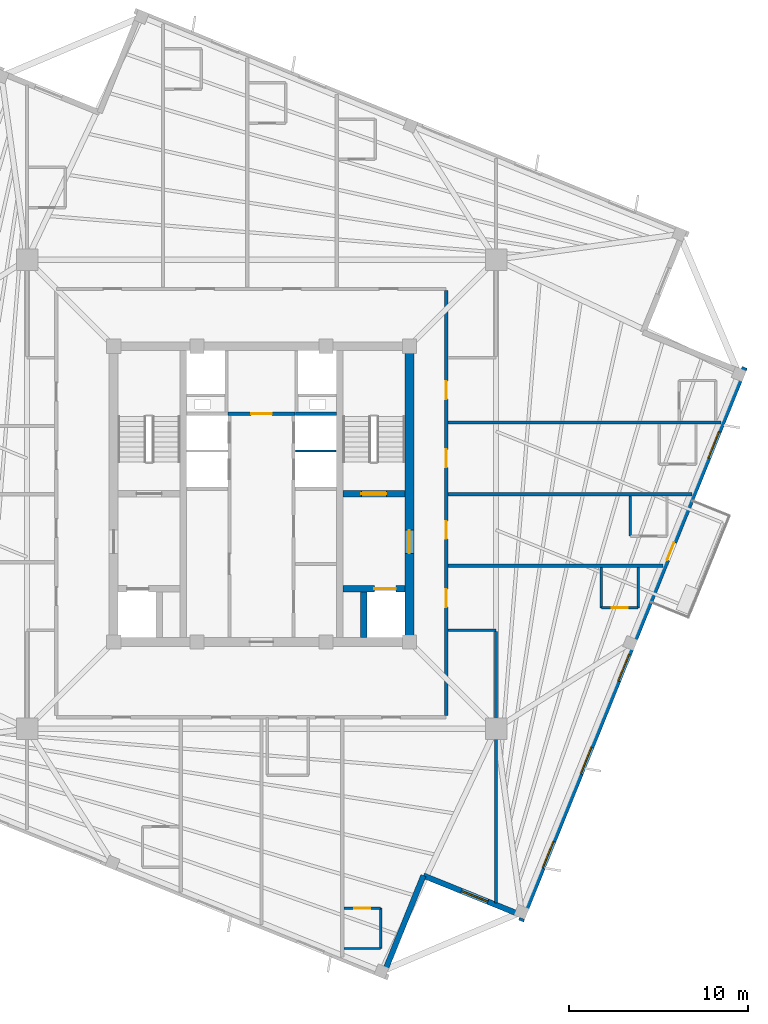
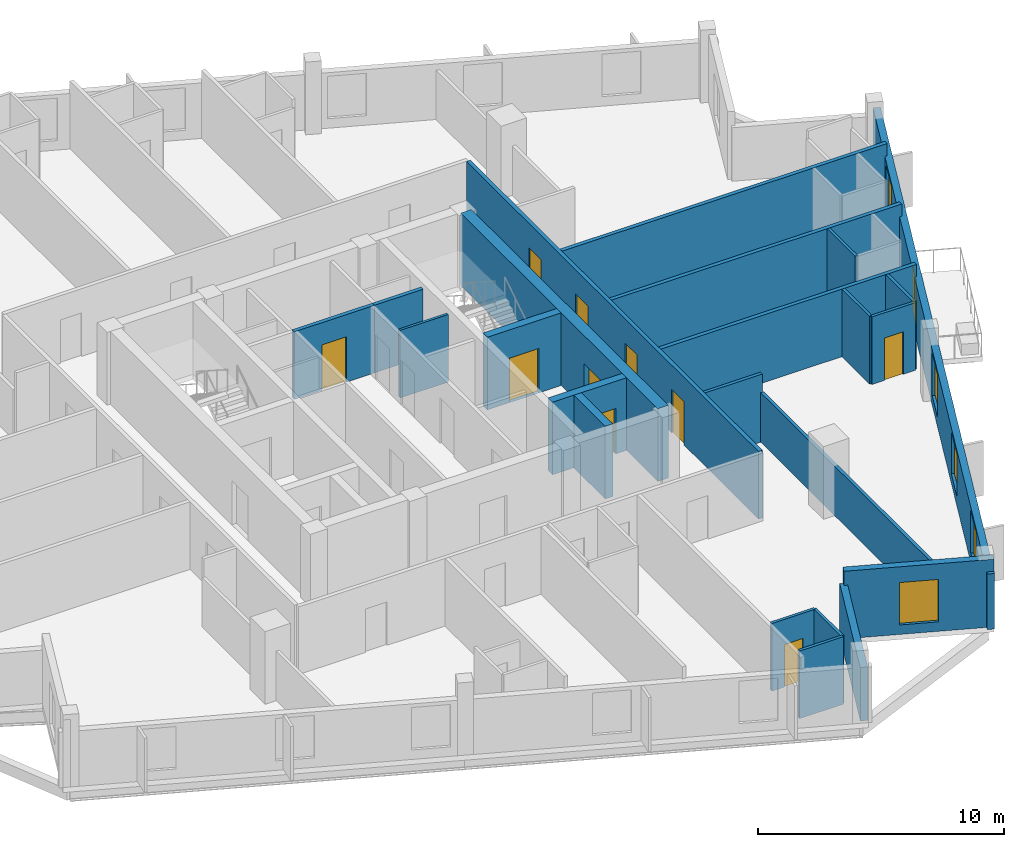
# One storey, part 4 of 9: 23 walls, 11 doors, 5 windows, 16 openings.
"""IFC4 building model written with IfcOpenShell, lengths in metres."""

from ifc_helpers import new_model, si_unit, direction, frame, frame_2d, origin, place, context, subcontext, project, spatial, rectangle, extrude, source, transform, mapped, material, layer, layer_set, type_object, element, fill, save


model = new_model("IFC4")

# Units and contexts
model_context = context("Model", 3, precision=1e-05, world=origin(), true_north=direction((0.0, 1.0)))
body_context = subcontext(model_context, "Body", "Model", "MODEL_VIEW")
ifc_project = project(units=[si_unit("LENGTHUNIT", "METRE"), si_unit("AREAUNIT", "SQUARE_METRE"), si_unit("VOLUMEUNIT", "CUBIC_METRE"), si_unit("PLANEANGLEUNIT", "RADIAN"), si_unit("MASSUNIT", "GRAM", prefix="KILO"), si_unit("THERMODYNAMICTEMPERATUREUNIT", "KELVIN")], contexts=[model_context])

# Site, building, storey
site_placement = place(None, origin())
site = spatial("IfcSite", under=ifc_project, at=site_placement, CompositionType="ELEMENT")
building_placement = place(site_placement, origin())
building = spatial("IfcBuilding", under=site, at=building_placement, Name="Kosmvard Interchange Tower", CompositionType="ELEMENT")
storey_placement = place(building_placement, frame((0.0, 0.0, 279.60009765625)))
storey = spatial("IfcBuildingStorey", under=building, at=storey_placement, Name="L68", CompositionType="ELEMENT", Elevation=279.60009765625)

# Walls
ifc_material_1 = material(Name="Acoustic gypsum partition system")
ifc_layer_1 = layer(ifc_material_1, 0.14990234375, Name="Acoustic gypsum partition system")
ifc_layer_set_1 = layer_set([ifc_layer_1], Name="Acoustic gypsum partition system")
wall_type_1 = type_object("IfcWallType", Name="Acoustic Suite & Meeting Partition 150", PredefinedType="PARTITIONING", material=ifc_layer_set_1)
wall_1_placement = place(storey_placement, frame((10.39501953125, -7.60009765625, 0.0), z_axis=(0.0, 0.0, 1.0), x_axis=(1.0, 0.0, 0.0)))
element("IfcWall", 1, at=wall_1_placement, inside=storey, type_object=wall_type_1, Name="L68 Room Partition 17.1", PredefinedType="PARTITIONING", context=body_context, shape_type="SweptSolid", body=[
    extrude(rectangle(XDim=2.68603515625, YDim=0.14990234375, at=frame_2d((1.343017578125, 0.0))), origin(), (0.0, 0.0, 1.0), 3.349853515625),
])
wall_2_placement = place(storey_placement, frame((13.0810546875, -7.675048828125, 0.0), z_axis=(0.0, 0.0, 1.0), x_axis=(0.0, -1.0, 0.0)))
element("IfcWall", 2, at=wall_2_placement, inside=storey, type_object=wall_type_1, Name="L68 Room Partition 18.1", PredefinedType="PARTITIONING", context=body_context, shape_type="SweptSolid", body=[
    extrude(rectangle(XDim=15.1416015625, YDim=0.14990234375, at=frame_2d((7.57080078125, 0.0))), origin(), (0.0, 0.0, 1.0), 2.449951171875),
])

# Wall, opening, door
ifc_material_2 = material(Name="Fire-rated gypsum partition system")
ifc_layer_2 = layer(ifc_material_2, 0.179931640625, Name="Fire-rated gypsum partition system")
ifc_layer_set_2 = layer_set([ifc_layer_2], Name="Fire-rated gypsum partition system")
wall_type_2 = type_object("IfcWallType", Name="Corridor & Hotel Compartment Partition 180", PredefinedType="PARTITIONING", material=ifc_layer_set_2)
wall_3_placement = place(storey_placement, frame((-1.8798828125, 4.489990234375, 0.0), z_axis=(0.0, 0.0, 1.0), x_axis=(1.0, 0.0, 0.0)))
wall_3 = element("IfcWall", 3, at=wall_3_placement, inside=storey, type_object=wall_type_2, Name="L68 Lift Lobby North Partition", PredefinedType="PARTITIONING", context=body_context, shape_type="SweptSolid", body=[
    extrude(rectangle(XDim=3.759765625, YDim=0.179931640625, at=frame_2d((1.8798828125, 0.0))), origin(), (0.0, 0.0, 1.0), 3.349853515625),
])
opening_1_placement = place(wall_3_placement, frame((1.304931640625, 0.0, 0.0)))
opening_1 = element("IfcOpeningElement", 4, at=opening_1_placement, cuts=wall_3, Name="Opening L68-KD1", PredefinedType="OPENING", context=body_context, shape_type="SweptSolid", body=[
    extrude(rectangle(XDim=1.14990234375, YDim=2.25, at=frame_2d((0.574951171875, 1.125))), frame((0.0, 0.10009765625, 0.0), z_axis=(0.0, -1.0, 0.0), x_axis=(1.0, 0.0, 0.0)), (0.0, 0.0, 1.0), 0.199951171875),
])
ifc_material_3 = material(Name="Painted fire-rated steel leaf", Category="steel")
door_type_1 = type_object("IfcDoorType", Name="Plant & Riser Fire Door 1150x2250 EI60", OperationType="NOTDEFINED", PredefinedType="DOOR", material=ifc_material_3)
shared_shape_1 = source(origin(), body_context, "Body", "SweptSolid", [
    extrude(rectangle(XDim=1.14990234375, YDim=2.25, at=frame_2d((0.574951171875, 1.125))), frame((0.0, 0.02490234375, 0.0), z_axis=(0.0, -1.0, 0.0), x_axis=(1.0, 0.0, 0.0)), (0.0, 0.0, 1.0), 0.050048828125),
])
door_1_placement = place(opening_1_placement, origin())
door_1 = element("IfcDoor", 5, at=door_1_placement, inside=storey, type_object=door_type_1, Name="L68 Core IT Room Door", OperationType="SINGLE_SWING_LEFT", OverallHeight=2.25, OverallWidth=1.14990234375, PredefinedType="DOOR", context=body_context, shape_type="MappedRepresentation", body=[
    mapped(shared_shape_1, transform((0.0, 0.0, 0.0), scale=1.0)),
])
fill(opening_1, door_1)

# Wall, openings, doors
wall_4_placement = place(storey_placement, frame((10.300048828125, -12.35009765625, 0.0), z_axis=(0.0, 0.0, 1.0), x_axis=(0.0, 1.0, 0.0)))
wall_4 = element("IfcWall", 6, at=wall_4_placement, inside=storey, type_object=wall_type_2, Name="L68 Corridor Wall CE", PredefinedType="PARTITIONING", context=body_context, shape_type="SweptSolid", body=[
    extrude(rectangle(XDim=23.7001953125, YDim=0.179931640625, at=frame_2d((11.85009765625, 0.0))), origin(), (0.0, 0.0, 1.0), 3.349853515625),
])
opening_2_placement = place(wall_4_placement, frame((17.64990234375, 0.0, 0.0)))
opening_2 = element("IfcOpeningElement", 7, at=opening_2_placement, cuts=wall_4, Name="Opening L68-D14", PredefinedType="OPENING", context=body_context, shape_type="SweptSolid", body=[
    extrude(rectangle(XDim=1.0, YDim=2.14990234375, at=frame_2d((0.5, 1.074951171875))), frame((0.0, 0.10009765625, 0.0), z_axis=(0.0, -1.0, 0.0), x_axis=(1.0, 0.0, 0.0)), (0.0, 0.0, 1.0), 0.199951171875),
])
opening_3_placement = place(wall_4_placement, frame((13.85009765625, 0.0, 0.0)))
opening_3 = element("IfcOpeningElement", 8, at=opening_3_placement, cuts=wall_4, Name="Opening L68-D16", PredefinedType="OPENING", context=body_context, shape_type="SweptSolid", body=[
    extrude(rectangle(XDim=1.0, YDim=2.14990234375, at=frame_2d((0.5, 1.074951171875))), frame((0.0, 0.10009765625, 0.0), z_axis=(0.0, -1.0, 0.0), x_axis=(1.0, 0.0, 0.0)), (0.0, 0.0, 1.0), 0.199951171875),
])
opening_4_placement = place(wall_4_placement, frame((9.85009765625, 0.0, 0.0)))
opening_4 = element("IfcOpeningElement", 9, at=opening_4_placement, cuts=wall_4, Name="Opening L68-D18", PredefinedType="OPENING", context=body_context, shape_type="SweptSolid", body=[
    extrude(rectangle(XDim=1.0, YDim=2.14990234375, at=frame_2d((0.5, 1.074951171875))), frame((0.0, 0.10009765625, 0.0), z_axis=(0.0, -1.0, 0.0), x_axis=(1.0, 0.0, 0.0)), (0.0, 0.0, 1.0), 0.199951171875),
])
opening_5_placement = place(wall_4_placement, frame((6.050048828125, 0.0, 0.0)))
opening_5 = element("IfcOpeningElement", 10, at=opening_5_placement, cuts=wall_4, Name="Opening L68-D20", PredefinedType="OPENING", context=body_context, shape_type="SweptSolid", body=[
    extrude(rectangle(XDim=1.0, YDim=2.14990234375, at=frame_2d((0.5, 1.074951171875))), frame((0.0, 0.10009765625, 0.0), z_axis=(0.0, -1.0, 0.0), x_axis=(1.0, 0.0, 0.0)), (0.0, 0.0, 1.0), 0.199951171875),
])
ifc_material_4 = material(Name="Engineered oak fire-rated timber", Category="wood")
door_type_2 = type_object("IfcDoorType", Name="Hotel Guestroom Entrance Door 1000x2150 EI60", OperationType="NOTDEFINED", PredefinedType="DOOR", material=ifc_material_4)
shared_shape_2 = source(origin(), body_context, "Body", "SweptSolid", [
    extrude(rectangle(XDim=1.0, YDim=2.14990234375, at=frame_2d((0.5, 1.074951171875))), frame((0.0, 0.02490234375, 0.0), z_axis=(0.0, -1.0, 0.0), x_axis=(1.0, 0.0, 0.0)), (0.0, 0.0, 1.0), 0.050048828125),
])
door_2_placement = place(opening_2_placement, frame((1.0, 0.0, 0.0), z_axis=(0.0, 0.0, 1.0), x_axis=(-1.0, 0.0, 0.0)))
door_2 = element("IfcDoor", 11, at=door_2_placement, inside=storey, type_object=door_type_2, Name="L68 Hotel Corner Suite 2 Door", OperationType="SINGLE_SWING_RIGHT", OverallHeight=2.14990234375, OverallWidth=1.0, PredefinedType="DOOR", context=body_context, shape_type="MappedRepresentation", body=[
    mapped(shared_shape_2, transform((0.0, 0.0, 0.0), scale=1.0)),
])
fill(opening_2, door_2)
door_3_placement = place(opening_3_placement, frame((1.0, 0.0, 0.0), z_axis=(0.0, 0.0, 1.0), x_axis=(-1.0, 0.0, 0.0)))
door_3 = element("IfcDoor", 12, at=door_3_placement, inside=storey, type_object=door_type_2, Name="L68 Hotel Standard Guest Room 6 Door", OperationType="SINGLE_SWING_RIGHT", OverallHeight=2.14990234375, OverallWidth=1.0, PredefinedType="DOOR", context=body_context, shape_type="MappedRepresentation", body=[
    mapped(shared_shape_2, transform((0.0, 0.0, 0.0), scale=1.0)),
])
fill(opening_3, door_3)
door_4_placement = place(opening_4_placement, frame((1.0, 0.0, 0.0), z_axis=(0.0, 0.0, 1.0), x_axis=(-1.0, 0.0, 0.0)))
door_4 = element("IfcDoor", 13, at=door_4_placement, inside=storey, type_object=door_type_2, Name="L68 Hotel Standard Guest Room 7 Door", OperationType="SINGLE_SWING_RIGHT", OverallHeight=2.14990234375, OverallWidth=1.0, PredefinedType="DOOR", context=body_context, shape_type="MappedRepresentation", body=[
    mapped(shared_shape_2, transform((0.0, 0.0, 0.0), scale=1.0)),
])
fill(opening_4, door_4)
door_5_placement = place(opening_5_placement, frame((1.0, 0.0, 0.0), z_axis=(0.0, 0.0, 1.0), x_axis=(-1.0, 0.0, 0.0)))
door_5 = element("IfcDoor", 14, at=door_5_placement, inside=storey, type_object=door_type_2, Name="L68 Hotel Standard Junior Suite 8 Door", OperationType="SINGLE_SWING_RIGHT", OverallHeight=2.14990234375, OverallWidth=1.0, PredefinedType="DOOR", context=body_context, shape_type="MappedRepresentation", body=[
    mapped(shared_shape_2, transform((0.0, 0.0, 0.0), scale=1.0)),
])
fill(opening_5, door_5)

# Walls
wall_5_placement = place(storey_placement, frame((10.39501953125, 4.0, 0.0), z_axis=(0.0, 0.0, 1.0), x_axis=(1.0, 0.0, 0.0)))
element("IfcWall", 15, at=wall_5_placement, inside=storey, type_object=wall_type_2, Name="L68 Room Partition 04.1", PredefinedType="PARTITIONING", context=body_context, shape_type="SweptSolid", body=[
    extrude(rectangle(XDim=15.223876953125, YDim=0.179931640625, at=frame_2d((7.61181640625, 0.0))), origin(), (0.0, 0.0, 1.0), 3.349853515625),
])
wall_6_placement = place(storey_placement, frame((10.39501953125, 0.0, 0.0), z_axis=(0.0, 0.0, 1.0), x_axis=(1.0, 0.0, 0.0)))
element("IfcWall", 16, at=wall_6_placement, inside=storey, type_object=wall_type_2, Name="L68 Room Partition 05.1", PredefinedType="PARTITIONING", context=body_context, shape_type="SweptSolid", body=[
    extrude(rectangle(XDim=13.607666015625, YDim=0.179931640625, at=frame_2d((6.8037109375, 0.0))), origin(), (0.0, 0.0, 1.0), 3.349853515625),
])
wall_7_placement = place(storey_placement, frame((10.39501953125, -4.0, 0.0), z_axis=(0.0, 0.0, 1.0), x_axis=(1.0, 0.0, 0.0)))
element("IfcWall", 17, at=wall_7_placement, inside=storey, type_object=wall_type_2, Name="L68 Room Partition 06.1", PredefinedType="PARTITIONING", context=body_context, shape_type="SweptSolid", body=[
    extrude(rectangle(XDim=11.99169921875, YDim=0.179931640625, at=frame_2d((5.995849609375, 0.0))), origin(), (0.0, 0.0, 1.0), 3.349853515625),
])
ifc_material_5 = material(Name="Concrete blockwork masonry", Category="masonry")
ifc_layer_3 = layer(ifc_material_5, 0.179931640625, Name="Concrete blockwork masonry")
ifc_layer_set_3 = layer_set([ifc_layer_3], Name="Concrete blockwork masonry")
wall_type_3 = type_object("IfcWallType", Name="Riser & Lift Bank Divider Wall 180", PredefinedType="PARTITIONING", material=ifc_layer_set_3)
wall_8_placement = place(storey_placement, frame((1.889892578125, 4.489990234375, 0.0), z_axis=(0.0, 0.0, 1.0), x_axis=(1.0, 0.0, 0.0)))
element("IfcWall", 18, at=wall_8_placement, inside=storey, type_object=wall_type_3, Name="L68 East Bank Divider BD3", PredefinedType="PARTITIONING", context=body_context, shape_type="SweptSolid", body=[
    extrude(rectangle(XDim=2.280029296875, YDim=0.179931640625, at=frame_2d((1.14013671875, 0.0))), origin(), (0.0, 0.0, 1.0), 3.349853515625),
])
ifc_material_6 = material(Name="Fire-rated gypsum shaftwall system")
ifc_layer_4 = layer(ifc_material_6, 0.1201171875, Name="Fire-rated gypsum shaftwall system")
ifc_layer_set_4 = layer_set([ifc_layer_4], Name="Fire-rated gypsum shaftwall system")
wall_type_4 = type_object("IfcWallType", Name="Shaft & Riser Fire Partition 120 EI60", PredefinedType="PARTITIONING", material=ifc_layer_set_4)
wall_9_placement = place(storey_placement, frame((1.89990234375, 2.39990234375, 0.0), z_axis=(0.0, 0.0, 1.0), x_axis=(1.0, 0.0, 0.0)))
element("IfcWall", 19, at=wall_9_placement, inside=storey, type_object=wall_type_4, Name="L68 Shaft Divider PL-H3", PredefinedType="PARTITIONING", context=body_context, shape_type="SweptSolid", body=[
    extrude(rectangle(XDim=2.260009765625, YDim=0.1201171875, at=frame_2d((1.1298828125, 0.0))), origin(), (0.0, 0.0, 1.0), 3.349853515625),
])

# Wall, opening, door
ifc_material_7 = material(Name="Concrete C60/75", Category="concrete")
ifc_layer_5 = layer(ifc_material_7, 0.360107421875, Name="Concrete C60/75")
ifc_layer_set_5 = layer_set([ifc_layer_5], Name="Concrete C60/75")
wall_type_5 = type_object("IfcWallType", Name="Stair & Lift Shaft Shear Wall 360 C60/75", PredefinedType="SHEAR", material=ifc_layer_set_5)
wall_10_placement = place(storey_placement, frame((4.5400390625, 0.02001953125, 0.0), z_axis=(0.0, 0.0, 1.0), x_axis=(1.0, 0.0, 0.0)))
wall_10 = element("IfcWall", 20, at=wall_10_placement, inside=storey, type_object=wall_type_5, Name="L68 Shaft Shear Wall SW-ST2", PredefinedType="SHEAR", context=body_context, shape_type="SweptSolid", body=[
    extrude(rectangle(XDim=3.4599609375, YDim=0.360107421875, at=frame_2d((1.72998046875, 0.0))), origin(), (0.0, 0.0, 1.0), 3.599853515625),
])
opening_6_placement = place(wall_10_placement, frame((1.030029296875, 0.0, 0.0)))
opening_6 = element("IfcOpeningElement", 21, at=opening_6_placement, cuts=wall_10, Name="Opening L68-SD2", PredefinedType="OPENING", context=body_context, shape_type="SweptSolid", body=[
    extrude(rectangle(XDim=1.39990234375, YDim=2.199951171875, at=frame_2d((0.699951171875, 1.10009765625))), frame((0.0, 0.18994140625, 0.0), z_axis=(0.0, -1.0, 0.0), x_axis=(1.0, 0.0, 0.0)), (0.0, 0.0, 1.0), 0.380126953125),
])
door_type_3 = type_object("IfcDoorType", Name="Protected Stair Door 1400x2200 FD60S", OperationType="NOTDEFINED", PredefinedType="DOOR", material=ifc_material_3)
shared_shape_3 = source(origin(), body_context, "Body", "SweptSolid", [
    extrude(rectangle(XDim=1.39990234375, YDim=2.199951171875, at=frame_2d((0.699951171875, 1.10009765625))), frame((0.0, 0.02490234375, 0.0), z_axis=(0.0, -1.0, 0.0), x_axis=(1.0, 0.0, 0.0)), (0.0, 0.0, 1.0), 0.050048828125),
])
door_6_placement = place(opening_6_placement, origin())
door_6 = element("IfcDoor", 22, at=door_6_placement, inside=storey, type_object=door_type_3, Name="L68 Stair ST-2 Enclosure Door", OperationType="SINGLE_SWING_RIGHT", OverallHeight=2.199951171875, OverallWidth=1.39990234375, PredefinedType="DOOR", context=body_context, shape_type="MappedRepresentation", body=[
    mapped(shared_shape_3, transform((0.0, 0.0, 0.0), scale=1.0)),
])
fill(opening_6, door_6)

wall_11_placement = place(storey_placement, frame((4.5400390625, -5.280029296875, 0.0), z_axis=(0.0, 0.0, 1.0), x_axis=(1.0, 0.0, 0.0)))
wall_11 = element("IfcWall", 23, at=wall_11_placement, inside=storey, type_object=wall_type_5, Name="L68 Shaft Shear Wall SW-FF2", PredefinedType="SHEAR", context=body_context, shape_type="SweptSolid", body=[
    extrude(rectangle(XDim=3.4599609375, YDim=0.360107421875, at=frame_2d((1.72998046875, 0.0))), origin(), (0.0, 0.0, 1.0), 3.599853515625),
])
opening_7_placement = place(wall_11_placement, frame((1.760009765625, 0.0, 0.0)))
opening_7 = element("IfcOpeningElement", 24, at=opening_7_placement, cuts=wall_11, Name="Opening LD-FF-2-L68", PredefinedType="OPENING", context=body_context, shape_type="SweptSolid", body=[
    extrude(rectangle(XDim=1.199951171875, YDim=2.25, at=frame_2d((0.60009765625, 1.125))), frame((0.0, 0.18994140625, 0.0), z_axis=(0.0, -1.0, 0.0), x_axis=(1.0, 0.0, 0.0)), (0.0, 0.0, 1.0), 0.380126953125),
])
ifc_material_8 = material(Name="Brushed stainless steel sliding leaf", Category="steel")
door_type_4 = type_object("IfcDoorType", Name="Firefighting Lift Sliding Landing Door 1200x2250 EI120", OperationType="DOUBLE_DOOR_SLIDING", PredefinedType="DOOR", material=ifc_material_8)
shared_shape_4 = source(origin(), body_context, "Body", "SweptSolid", [
    extrude(rectangle(XDim=1.199951171875, YDim=2.25, at=frame_2d((0.60009765625, 1.125))), frame((0.0, 0.02490234375, 0.0), z_axis=(0.0, -1.0, 0.0), x_axis=(1.0, 0.0, 0.0)), (0.0, 0.0, 1.0), 0.050048828125),
])
door_7_placement = place(opening_7_placement, origin())
door_7 = element("IfcDoor", 25, at=door_7_placement, inside=storey, type_object=door_type_4, Name="Lift FF-2 Landing Door L68", OperationType="DOUBLE_DOOR_SLIDING", OverallHeight=2.25, OverallWidth=1.199951171875, PredefinedType="DOOR", context=body_context, shape_type="MappedRepresentation", body=[
    mapped(shared_shape_4, transform((0.0, 0.0, 0.0), scale=1.0)),
])
fill(opening_7, door_7)

# Wall
wall_12_placement = place(storey_placement, frame((5.7099609375, -8.0, 0.0), z_axis=(0.0, 0.0, 1.0), x_axis=(0.0, 1.0, 0.0)))
element("IfcWall", 26, at=wall_12_placement, inside=storey, type_object=wall_type_5, Name="L68 Shaft Shear Wall SW-SM2", PredefinedType="SHEAR", context=body_context, shape_type="SweptSolid", body=[
    extrude(rectangle(XDim=2.5400390625, YDim=0.360107421875, at=frame_2d((1.27001953125, 0.0))), origin(), (0.0, 0.0, 1.0), 3.599853515625),
])

# Wall, opening, door
ifc_layer_6 = layer(ifc_material_7, 0.5, Name="Concrete C60/75")
ifc_layer_set_6 = layer_set([ifc_layer_6], Name="Concrete C60/75")
wall_type_6 = type_object("IfcWallType", Name="Upper Core Shear Wall 500 C60/75", PredefinedType="SHEAR", material=ifc_layer_set_6)
wall_13_placement = place(storey_placement, frame((8.25, -8.0, 0.0), z_axis=(0.0, 0.0, 1.0), x_axis=(0.0, 1.0, 0.0)))
wall_13 = element("IfcWall", 27, at=wall_13_placement, inside=storey, type_object=wall_type_6, Name="L68 Core Shear Wall CW-E", PredefinedType="SHEAR", context=body_context, shape_type="SweptSolid", body=[
    extrude(rectangle(XDim=16.0, YDim=0.5, at=frame_2d((8.0, 0.0))), origin(), (0.0, 0.0, 1.0), 3.599853515625),
])
opening_8_placement = place(wall_13_placement, frame((4.68994140625, 0.0, 0.0)))
opening_8 = element("IfcOpeningElement", 28, at=opening_8_placement, cuts=wall_13, Name="Opening L68-FD2", PredefinedType="OPENING", context=body_context, shape_type="SweptSolid", body=[
    extrude(rectangle(XDim=1.300048828125, YDim=2.199951171875, at=frame_2d((0.64990234375, 1.10009765625))), frame((0.0, 0.260009765625, 0.0), z_axis=(0.0, -1.0, 0.0), x_axis=(1.0, 0.0, 0.0)), (0.0, 0.0, 1.0), 0.52001953125),
])
door_type_5 = type_object("IfcDoorType", Name="Firefighting Lobby Door 1300x2200 EI60", OperationType="NOTDEFINED", PredefinedType="DOOR", material=ifc_material_3)
shared_shape_5 = source(origin(), body_context, "Body", "SweptSolid", [
    extrude(rectangle(XDim=1.300048828125, YDim=2.199951171875, at=frame_2d((0.64990234375, 1.10009765625))), frame((0.0, 0.02490234375, 0.0), z_axis=(0.0, -1.0, 0.0), x_axis=(1.0, 0.0, 0.0)), (0.0, 0.0, 1.0), 0.050048828125),
])
door_8_placement = place(opening_8_placement, origin())
door_8 = element("IfcDoor", 29, at=door_8_placement, inside=storey, type_object=door_type_5, Name="L68 Firefighting Lobby East Door", OperationType="SINGLE_SWING_RIGHT", OverallHeight=2.199951171875, OverallWidth=1.300048828125, PredefinedType="DOOR", context=body_context, shape_type="MappedRepresentation", body=[
    mapped(shared_shape_5, transform((0.0, 0.0, 0.0), scale=1.0)),
])
fill(opening_8, door_8)

# Wall, openings, door, windows
ifc_material_9 = material(Name="Precast concrete C45/55", Category="concrete")
ifc_layer_7 = layer(ifc_material_9, 0.31005859375, Name="Precast concrete C45/55")
ifc_layer_set_7 = layer_set([ifc_layer_7], Name="Precast concrete C45/55")
wall_type_7 = type_object("IfcWallType", Name="Upper Tower Precast Pier Wall 310 C45/55", PredefinedType="STANDARD", material=ifc_layer_set_7)
wall_14_placement = place(storey_placement, frame((14.478759765625, -23.812744140625, 0.0), z_axis=(0.0, 0.0, 1.0), x_axis=(0.374609557019, 0.927182657188, 0.0)))
wall_14 = element("IfcWall", 30, at=wall_14_placement, inside=storey, type_object=wall_type_7, Name="L68 Precast Facade Wall F-S", PredefinedType="STANDARD", context=body_context, shape_type="SweptSolid", body=[
    extrude(rectangle(XDim=33.31005859375, YDim=0.31005859375, at=frame_2d((16.655029296875, 0.0))), origin(), (0.0, 0.0, 1.0), 2.75),
])
opening_9_placement = place(wall_14_placement, frame((21.72998046875, 0.0, 0.0)))
opening_9 = element("IfcOpeningElement", 31, at=opening_9_placement, cuts=wall_14, Name="Opening L68-BDW", PredefinedType="OPENING", context=body_context, shape_type="SweptSolid", body=[
    extrude(rectangle(XDim=1.050048828125, YDim=2.25, at=frame_2d((0.52490234375, 1.125))), frame((0.0, 0.1650390625, 0.0), z_axis=(0.0, -1.0, 0.0), x_axis=(1.0, 0.0, 0.0)), (0.0, 0.0, 1.0), 0.330078125),
])
opening_10_placement = place(wall_14_placement, frame((3.197265625, 0.0, 0.469970703125)))
opening_10 = element("IfcOpeningElement", 32, at=opening_10_placement, cuts=wall_14, Name="Opening L68-W01", PredefinedType="OPENING", context=body_context, shape_type="SweptSolid", body=[
    extrude(rectangle(XDim=1.60009765625, YDim=2.10009765625, at=frame_2d((0.800048828125, 1.050048828125))), frame((0.0, 0.1650390625, 0.0), z_axis=(0.0, -1.0, 0.0), x_axis=(1.0, 0.0, 0.0)), (0.0, 0.0, 1.0), 0.330078125),
])
opening_11_placement = place(wall_14_placement, frame((8.85986328125, 0.0, 0.469970703125)))
opening_11 = element("IfcOpeningElement", 33, at=opening_11_placement, cuts=wall_14, Name="Opening L68-W02", PredefinedType="OPENING", context=body_context, shape_type="SweptSolid", body=[
    extrude(rectangle(XDim=1.60009765625, YDim=2.10009765625, at=frame_2d((0.800048828125, 1.050048828125))), frame((0.0, 0.1650390625, 0.0), z_axis=(0.0, -1.0, 0.0), x_axis=(1.0, 0.0, 0.0)), (0.0, 0.0, 1.0), 0.330078125),
])
opening_12_placement = place(wall_14_placement, frame((14.438720703125, 0.0, 0.469970703125)))
opening_12 = element("IfcOpeningElement", 34, at=opening_12_placement, cuts=wall_14, Name="Opening L68-W03", PredefinedType="OPENING", context=body_context, shape_type="SweptSolid", body=[
    extrude(rectangle(XDim=1.60009765625, YDim=2.10009765625, at=frame_2d((0.800048828125, 1.050048828125))), frame((0.0, 0.1650390625, 0.0), z_axis=(0.0, -1.0, 0.0), x_axis=(1.0, 0.0, 0.0)), (0.0, 0.0, 1.0), 0.330078125),
])
opening_13_placement = place(wall_14_placement, frame((27.8466796875, 0.0, 0.469970703125)))
opening_13 = element("IfcOpeningElement", 35, at=opening_13_placement, cuts=wall_14, Name="Opening L68-W04", PredefinedType="OPENING", context=body_context, shape_type="SweptSolid", body=[
    extrude(rectangle(XDim=1.60009765625, YDim=2.10009765625, at=frame_2d((0.800048828125, 1.050048828125))), frame((0.0, 0.1650390625, 0.0), z_axis=(0.0, -1.0, 0.0), x_axis=(1.0, 0.0, 0.0)), (0.0, 0.0, 1.0), 0.330078125),
])
ifc_material_10 = material(Name="Anodised aluminium and safety glass", Category="aluminium")
door_type_6 = type_object("IfcDoorType", Name="Tree-Balcony Glazed Door 1050x2250", OperationType="NOTDEFINED", PredefinedType="DOOR", material=ifc_material_10)
shared_shape_6 = source(origin(), body_context, "Body", "SweptSolid", [
    extrude(rectangle(XDim=1.050048828125, YDim=2.25, at=frame_2d((0.52490234375, 1.125))), frame((0.0, 0.02490234375, 0.0), z_axis=(0.0, -1.0, 0.0), x_axis=(1.0, 0.0, 0.0)), (0.0, 0.0, 1.0), 0.050048828125),
])
door_9_placement = place(opening_9_placement, origin())
door_9 = element("IfcDoor", 36, at=door_9_placement, inside=storey, type_object=door_type_6, Name="L68 Tree-Balcony Door BAL-L68-SW", OperationType="SINGLE_SWING_LEFT", OverallHeight=2.25, OverallWidth=1.050048828125, PredefinedType="DOOR", context=body_context, shape_type="MappedRepresentation", body=[
    mapped(shared_shape_6, transform((0.0, 0.0, 0.0), scale=1.0)),
])
fill(opening_9, door_9)
ifc_material_11 = material(Name="Low-E acoustic double glazing", Category="glass")
window_type = type_object("IfcWindowType", Name="Zone 5 Hotel Punched Window 1600x2100", PartitioningType="SINGLE_PANEL", PredefinedType="WINDOW", material=ifc_material_11)
shared_shape_7 = source(origin(), body_context, "Body", "SweptSolid", [
    extrude(rectangle(XDim=1.60009765625, YDim=2.10009765625, at=frame_2d((0.800048828125, 1.050048828125))), frame((0.0, 0.030029296875, 0.0), z_axis=(0.0, -1.0, 0.0), x_axis=(1.0, 0.0, 0.0)), (0.0, 0.0, 1.0), 0.06005859375),
])
window_1_placement = place(opening_10_placement, origin())
window_1 = element("IfcWindow", 37, at=window_1_placement, inside=storey, type_object=window_type, Name="L68 Facade Punched Window 01", OverallHeight=2.10009765625, OverallWidth=1.60009765625, PartitioningType="SINGLE_PANEL", PredefinedType="WINDOW", context=body_context, shape_type="MappedRepresentation", body=[
    mapped(shared_shape_7, transform((0.0, 0.0, 0.0), scale=1.0)),
])
fill(opening_10, window_1)
window_2_placement = place(opening_11_placement, origin())
window_2 = element("IfcWindow", 38, at=window_2_placement, inside=storey, type_object=window_type, Name="L68 Facade Punched Window 02", OverallHeight=2.10009765625, OverallWidth=1.60009765625, PartitioningType="SINGLE_PANEL", PredefinedType="WINDOW", context=body_context, shape_type="MappedRepresentation", body=[
    mapped(shared_shape_7, transform((0.0, 0.0, 0.0), scale=1.0)),
])
fill(opening_11, window_2)
window_3_placement = place(opening_12_placement, origin())
window_3 = element("IfcWindow", 39, at=window_3_placement, inside=storey, type_object=window_type, Name="L68 Facade Punched Window 03", OverallHeight=2.10009765625, OverallWidth=1.60009765625, PartitioningType="SINGLE_PANEL", PredefinedType="WINDOW", context=body_context, shape_type="MappedRepresentation", body=[
    mapped(shared_shape_7, transform((0.0, 0.0, 0.0), scale=1.0)),
])
fill(opening_12, window_3)
window_4_placement = place(opening_13_placement, origin())
window_4 = element("IfcWindow", 40, at=window_4_placement, inside=storey, type_object=window_type, Name="L68 Facade Punched Window 04", OverallHeight=2.10009765625, OverallWidth=1.60009765625, PartitioningType="SINGLE_PANEL", PredefinedType="WINDOW", context=body_context, shape_type="MappedRepresentation", body=[
    mapped(shared_shape_7, transform((0.0, 0.0, 0.0), scale=1.0)),
])
fill(opening_13, window_4)

# Wall
wall_15_placement = place(storey_placement, frame((6.7841796875, -26.8408203125, 0.0), z_axis=(0.0, 0.0, 1.0), x_axis=(0.374636620962, 0.927171722085, 0.0)))
element("IfcWall", 41, at=wall_15_placement, inside=storey, type_object=wall_type_7, Name="L68 Precast Facade Wall N-SW1", PredefinedType="STANDARD", context=body_context, shape_type="SweptSolid", body=[
    extrude(rectangle(XDim=6.0, YDim=0.31005859375, at=frame_2d((3.0, 0.0))), origin(), (0.0, 0.0, 1.0), 2.64990234375),
])

# Wall, opening, window
wall_16_placement = place(storey_placement, frame((9.031982421875, -21.27783203125, 0.0), z_axis=(0.0, 0.0, 1.0), x_axis=(0.927185411764, -0.374602739196, 0.0)))
wall_16 = element("IfcWall", 42, at=wall_16_placement, inside=storey, type_object=wall_type_7, Name="L68 Precast Facade Wall N-SW2", PredefinedType="STANDARD", context=body_context, shape_type="SweptSolid", body=[
    extrude(rectangle(XDim=6.155029296875, YDim=0.31005859375, at=frame_2d((3.07763671875, 0.0))), origin(), (0.0, 0.0, 1.0), 3.349853515625),
])
opening_14_placement = place(wall_16_placement, frame((2.277587890625, 0.0, 0.469970703125)))
opening_14 = element("IfcOpeningElement", 43, at=opening_14_placement, cuts=wall_16, Name="Opening L68-W22", PredefinedType="OPENING", context=body_context, shape_type="SweptSolid", body=[
    extrude(rectangle(XDim=1.60009765625, YDim=2.10009765625, at=frame_2d((0.800048828125, 1.050048828125))), frame((0.0, 0.1650390625, 0.0), z_axis=(0.0, -1.0, 0.0), x_axis=(1.0, 0.0, 0.0)), (0.0, 0.0, 1.0), 0.330078125),
])
window_5_placement = place(opening_14_placement, origin())
window_5 = element("IfcWindow", 44, at=window_5_placement, inside=storey, type_object=window_type, Name="L68 Corner Notch Window 22", OverallHeight=2.10009765625, OverallWidth=1.60009765625, PartitioningType="SINGLE_PANEL", PredefinedType="WINDOW", context=body_context, shape_type="MappedRepresentation", body=[
    mapped(shared_shape_7, transform((0.0, 0.0, 0.0), scale=1.0)),
])
fill(opening_14, window_5)

# Wall
ifc_material_12 = material(Name="Moisture-resistant gypsum partition")
ifc_layer_8 = layer(ifc_material_12, 0.135009765625, Name="Moisture-resistant gypsum partition")
ifc_layer_set_8 = layer_set([ifc_layer_8], Name="Moisture-resistant gypsum partition")
wall_type_8 = type_object("IfcWallType", Name="Wet Room Moisture-Resistant Partition 135", PredefinedType="PARTITIONING", material=ifc_layer_set_8)
wall_17_placement = place(storey_placement, frame((20.569580078125, -2.340087890625, 0.0), z_axis=(0.0, 0.0, 1.0), x_axis=(0.0, 1.0, 0.0)))
element("IfcWall", 45, at=wall_17_placement, inside=storey, type_object=wall_type_8, Name="L68 En-Suite Partition HGR7-W", PredefinedType="PARTITIONING", context=body_context, shape_type="SweptSolid", body=[
    extrude(rectangle(XDim=2.25, YDim=0.135009765625, at=frame_2d((1.125, 0.0))), origin(), (0.0, 0.0, 1.0), 3.349853515625),
])

# Wall, opening, door
wall_18_placement = place(storey_placement, frame((18.953369140625, -6.340087890625, 0.0), z_axis=(0.0, 0.0, 1.0), x_axis=(1.0, 0.0, 0.0)))
wall_18 = element("IfcWall", 46, at=wall_18_placement, inside=storey, type_object=wall_type_8, Name="L68 En-Suite Partition HGR8-S", PredefinedType="PARTITIONING", context=body_context, shape_type="SweptSolid", body=[
    extrude(rectangle(XDim=2.050048828125, YDim=0.135009765625, at=frame_2d((1.02490234375, 0.0))), origin(), (0.0, 0.0, 1.0), 3.349853515625),
])
opening_15_placement = place(wall_18_placement, frame((0.5849609375, 0.0, 0.0)))
opening_15 = element("IfcOpeningElement", 47, at=opening_15_placement, cuts=wall_18, Name="Opening L68-ED21", PredefinedType="OPENING", context=body_context, shape_type="SweptSolid", body=[
    extrude(rectangle(XDim=0.8798828125, YDim=2.10009765625, at=frame_2d((0.43994140625, 1.050048828125))), frame((0.0, 0.07763671875, 0.0), z_axis=(0.0, -1.0, 0.0), x_axis=(1.0, 0.0, 0.0)), (0.0, 0.0, 1.0), 0.155029296875),
])
ifc_material_13 = material(Name="Laminated moisture-resistant timber", Category="wood")
door_type_7 = type_object("IfcDoorType", Name="En-Suite & Washroom Door 880x2100", OperationType="NOTDEFINED", PredefinedType="DOOR", material=ifc_material_13)
shared_shape_8 = source(origin(), body_context, "Body", "SweptSolid", [
    extrude(rectangle(XDim=0.8798828125, YDim=2.10009765625, at=frame_2d((0.43994140625, 1.050048828125))), frame((0.0, 0.02490234375, 0.0), z_axis=(0.0, -1.0, 0.0), x_axis=(1.0, 0.0, 0.0)), (0.0, 0.0, 1.0), 0.050048828125),
])
door_10_placement = place(opening_15_placement, origin())
door_10 = element("IfcDoor", 48, at=door_10_placement, inside=storey, type_object=door_type_7, Name="L68 HGR8 En-Suite Door", OperationType="SINGLE_SWING_RIGHT", OverallHeight=2.10009765625, OverallWidth=0.8798828125, PredefinedType="DOOR", context=body_context, shape_type="MappedRepresentation", body=[
    mapped(shared_shape_8, transform((0.0, 0.0, 0.0), scale=1.0)),
])
fill(opening_15, door_10)

# Walls
for number, where, z_axis, x_axis, name in (
    (49, (21.00341796875, -6.340087890625, 0.0), (0.0, 0.0, 1.0), (0.0, 1.0, 0.0), "L68 En-Suite Partition HGR8-E"),
    (50, (18.953369140625, -6.340087890625, 0.0), (0.0, 0.0, 1.0), (0.0, 1.0, 0.0), "L68 En-Suite Partition HGR8-W"),
):
    element("IfcWall", number, at=place(storey_placement, frame(where, z_axis=z_axis, x_axis=x_axis)), inside=storey, type_object=wall_type_8, Name=name, PredefinedType="PARTITIONING", context=body_context, shape_type="SweptSolid", body=[
        extrude(rectangle(XDim=2.25, YDim=0.135009765625, at=frame_2d((1.125, 0.0))), origin(), (0.0, 0.0, 1.0), 3.349853515625),
    ])
wall_19_placement = place(storey_placement, frame((4.590087890625, -25.341552734375, 0.0), z_axis=(0.0, 0.0, 1.0), x_axis=(1.0, 0.0, 0.0)))
element("IfcWall", 51, at=wall_19_placement, inside=storey, type_object=wall_type_8, Name="L68 En-Suite Partition HCS3-S", PredefinedType="PARTITIONING", context=body_context, shape_type="SweptSolid", body=[
    extrude(rectangle(XDim=2.0498046875, YDim=0.135009765625, at=frame_2d((1.02490234375, 0.0))), origin(), (0.0, 0.0, 1.0), 3.349853515625),
])
wall_20_placement = place(storey_placement, frame((6.639892578125, -25.341552734375, 0.0), z_axis=(0.0, 0.0, 1.0), x_axis=(0.0, 1.0, 0.0)))
element("IfcWall", 52, at=wall_20_placement, inside=storey, type_object=wall_type_8, Name="L68 En-Suite Partition HCS3-E", PredefinedType="PARTITIONING", context=body_context, shape_type="SweptSolid", body=[
    extrude(rectangle(XDim=2.25, YDim=0.135009765625, at=frame_2d((1.125, 0.0))), origin(), (0.0, 0.0, 1.0), 3.349853515625),
])

# Wall, opening, door
wall_21_placement = place(storey_placement, frame((4.590087890625, -23.091552734375, 0.0), z_axis=(0.0, 0.0, 1.0), x_axis=(1.0, 0.0, 0.0)))
wall_21 = element("IfcWall", 53, at=wall_21_placement, inside=storey, type_object=wall_type_8, Name="L68 En-Suite Partition HCS3-N", PredefinedType="PARTITIONING", context=body_context, shape_type="SweptSolid", body=[
    extrude(rectangle(XDim=2.0498046875, YDim=0.135009765625, at=frame_2d((1.02490234375, 0.0))), origin(), (0.0, 0.0, 1.0), 3.349853515625),
])
opening_16_placement = place(wall_21_placement, frame((0.5849609375, 0.0, 0.0)))
opening_16 = element("IfcOpeningElement", 54, at=opening_16_placement, cuts=wall_21, Name="Opening L68-ED23", PredefinedType="OPENING", context=body_context, shape_type="SweptSolid", body=[
    extrude(rectangle(XDim=0.8798828125, YDim=2.10009765625, at=frame_2d((0.43994140625, 1.050048828125))), frame((0.0, 0.07763671875, 0.0), z_axis=(0.0, -1.0, 0.0), x_axis=(1.0, 0.0, 0.0)), (0.0, 0.0, 1.0), 0.155029296875),
])
door_11_placement = place(opening_16_placement, frame((0.8798828125, 0.0, 0.0), z_axis=(0.0, 0.0, 1.0), x_axis=(-1.0, 0.0, 0.0)))
door_11 = element("IfcDoor", 55, at=door_11_placement, inside=storey, type_object=door_type_7, Name="L68 HCS3 En-Suite Door", OperationType="SINGLE_SWING_RIGHT", OverallHeight=2.10009765625, OverallWidth=0.8798828125, PredefinedType="DOOR", context=body_context, shape_type="MappedRepresentation", body=[
    mapped(shared_shape_8, transform((0.0, 0.0, 0.0), scale=1.0)),
])
fill(opening_16, door_11)

save(model, "model.ifc")
